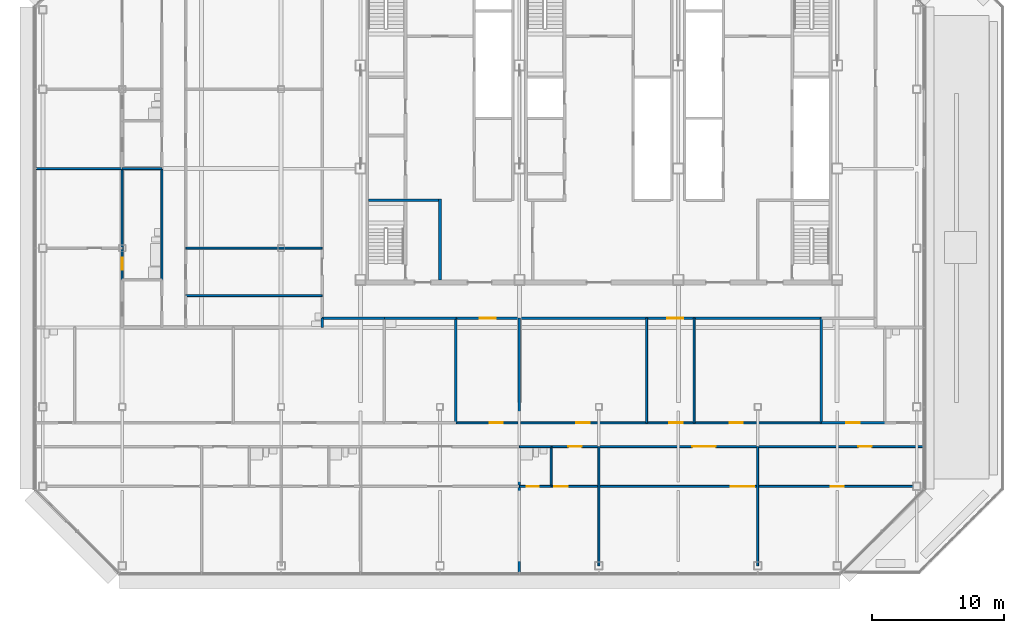
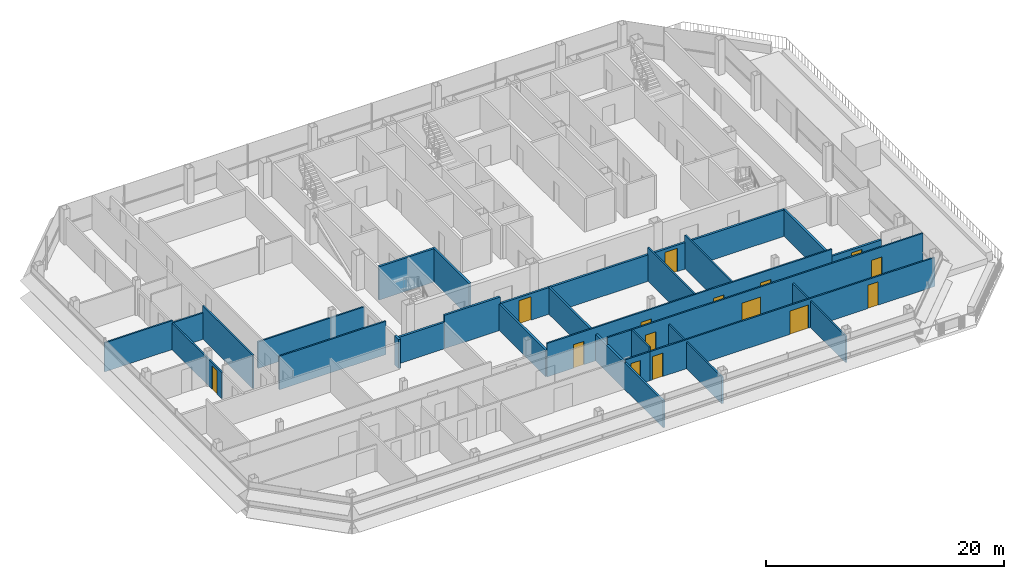
# One storey, part 19 of 28: 26 walls, 15 doors, 15 openings.
"""IFC4 building model written with IfcOpenShell, lengths in metres."""

from ifc_helpers import new_model, si_unit, direction, frame, frame_2d, origin, place, context, subcontext, project, spatial, rectangle, extrude, material, layer, layer_set, type_object, element, fill, save


model = new_model("IFC4")

# Units and contexts
model_context = context("Model", 3, precision=1e-05, world=origin(), true_north=direction((0.0, 1.0)))
body_context = subcontext(model_context, "Body", "Model", "MODEL_VIEW")
ifc_project = project(units=[si_unit("LENGTHUNIT", "METRE"), si_unit("AREAUNIT", "SQUARE_METRE"), si_unit("VOLUMEUNIT", "CUBIC_METRE"), si_unit("PLANEANGLEUNIT", "RADIAN"), si_unit("MASSUNIT", "GRAM", prefix="KILO")], contexts=[model_context])

# Site, building, storey
site_placement = place(None, origin())
site = spatial("IfcSite", under=ifc_project, at=site_placement, CompositionType="ELEMENT")
building_placement = place(site_placement, origin())
building = spatial("IfcBuilding", under=site, at=building_placement, Name="Sorahane Residences", CompositionType="ELEMENT")
storey_placement = place(building_placement, frame((0.0, 0.0, 290.800048828125)))
storey = spatial("IfcBuildingStorey", under=building, at=storey_placement, Name="L68", CompositionType="ELEMENT", Elevation=290.800048828125)

# Wall
ifc_material_1 = material(Name="Concrete blockwork C20 wall", Category="masonry")
ifc_layer_1 = layer(ifc_material_1, 0.199951171875)
ifc_layer_set_1 = layer_set([ifc_layer_1], Name="Corridor wall 200 EI 120")
wall_type_1 = type_object("IfcWallType", Name="Corridor wall 200 EI 120", PredefinedType="SOLIDWALL", material=ifc_layer_set_1)
wall_1_placement = place(storey_placement, frame((3.10009765625, 18.699951171875, 0.0), z_axis=(0.0, 0.0, 1.0), x_axis=(1.0, 0.0, 0.0)))
element("IfcWall", 1, at=wall_1_placement, inside=storey, type_object=wall_type_1, Name="L68 corridor wall", PredefinedType="SOLIDWALL", context=body_context, shape_type="SweptSolid", body=[
    extrude(rectangle(XDim=4.699951171875, YDim=0.199951171875, at=frame_2d((2.35009765625, 0.0))), origin(), (0.0, 0.0, 1.0), 2.719970703125),
])

# Wall, openings, doors
wall_2_placement = place(storey_placement, frame((13.199951171875, 18.699951171875, 0.0), z_axis=(0.0, 0.0, 1.0), x_axis=(1.0, 0.0, 0.0)))
wall_2 = element("IfcWall", 2, at=wall_2_placement, inside=storey, type_object=wall_type_1, Name="L68 corridor wall", PredefinedType="SOLIDWALL", context=body_context, shape_type="SweptSolid", body=[
    extrude(rectangle(XDim=27.60009765625, YDim=0.199951171875, at=frame_2d((13.800048828125, 0.0))), origin(), (0.0, 0.0, 1.0), 2.719970703125),
])
opening_1_placement = place(wall_2_placement, frame((1.800048828125, 0.0, 0.0)))
opening_1 = element("IfcOpeningElement", 3, at=opening_1_placement, cuts=wall_2, Name="Opening L68-42", PredefinedType="OPENING", context=body_context, shape_type="SweptSolid", body=[
    extrude(rectangle(XDim=1.199951171875, YDim=2.39990234375, at=frame_2d((0.60009765625, 1.199951171875))), frame((0.0, 0.10986328125, 0.0), z_axis=(0.0, -1.0, 0.0), x_axis=(1.0, 0.0, 0.0)), (0.0, 0.0, 1.0), 0.219970703125),
])
opening_2_placement = place(wall_2_placement, frame((15.97998046875, 0.0, 0.0)))
opening_2 = element("IfcOpeningElement", 4, at=opening_2_placement, cuts=wall_2, Name="Opening L68-43", PredefinedType="OPENING", context=body_context, shape_type="SweptSolid", body=[
    extrude(rectangle(XDim=1.199951171875, YDim=2.39990234375, at=frame_2d((0.60009765625, 1.199951171875))), frame((0.0, 0.10986328125, 0.0), z_axis=(0.0, -1.0, 0.0), x_axis=(1.0, 0.0, 0.0)), (0.0, 0.0, 1.0), 0.219970703125),
])
ifc_material_2 = material(Name="Timber veneered fire door", Category="wood")
door_type_1 = type_object("IfcDoorType", Name="Flat entrance door 1200x2400 FD60", OperationType="NOTDEFINED", PredefinedType="DOOR", material=ifc_material_2)
door_1_placement = place(opening_1_placement, frame((1.199951171875, 0.0, 0.0), z_axis=(0.0, 0.0, 1.0), x_axis=(-1.0, 0.0, 0.0)))
door_1 = element("IfcDoor", 5, at=door_1_placement, inside=storey, type_object=door_type_1, Name="Flat entrance door L68-42", OperationType="SINGLE_SWING_LEFT", OverallHeight=2.39990234375, OverallWidth=1.199951171875, PredefinedType="DOOR", context=body_context, shape_type="SweptSolid", body=[
    extrude(rectangle(XDim=1.199951171875, YDim=2.39990234375, at=frame_2d((0.60009765625, 1.199951171875))), frame((0.0, 0.02490234375, 0.0), z_axis=(0.0, -1.0, 0.0), x_axis=(1.0, 0.0, 0.0)), (0.0, 0.0, 1.0), 0.050048828125),
])
fill(opening_1, door_1)
door_2_placement = place(opening_2_placement, frame((1.199951171875, 0.0, 0.0), z_axis=(0.0, 0.0, 1.0), x_axis=(-1.0, 0.0, 0.0)))
door_2 = element("IfcDoor", 6, at=door_2_placement, inside=storey, type_object=door_type_1, Name="Flat entrance door L68-43", OperationType="SINGLE_SWING_LEFT", OverallHeight=2.39990234375, OverallWidth=1.199951171875, PredefinedType="DOOR", context=body_context, shape_type="SweptSolid", body=[
    extrude(rectangle(XDim=1.199951171875, YDim=2.39990234375, at=frame_2d((0.60009765625, 1.199951171875))), frame((0.0, 0.02490234375, 0.0), z_axis=(0.0, -1.0, 0.0), x_axis=(1.0, 0.0, 0.0)), (0.0, 0.0, 1.0), 0.050048828125),
])
fill(opening_2, door_2)

# Walls
ifc_material_3 = material(Name="Concrete C30", Category="concrete")
ifc_layer_2 = layer(ifc_material_3, 0.199951171875)
ifc_layer_set_2 = layer_set([ifc_layer_2], Name="Front room wall 200 EI 120")
wall_type_2 = type_object("IfcWallType", Name="Front room wall 200 EI 120", PredefinedType="PARTITIONING", material=ifc_layer_set_2)
wall_3_placement = place(storey_placement, frame((12.0, 21.60009765625, 0.0), z_axis=(0.0, 0.0, 1.0), x_axis=(0.0, 1.0, 0.0)))
element("IfcWall", 7, at=wall_3_placement, inside=storey, type_object=wall_type_2, Name="L68 front room wall", PredefinedType="PARTITIONING", context=body_context, shape_type="SweptSolid", body=[
    extrude(rectangle(XDim=6.099853515625, YDim=0.199951171875, at=frame_2d((3.0498046875, 0.0))), origin(), (0.0, 0.0, 1.0), 3.419921875),
])
ifc_material_4 = material(Name="Concrete blockwork C20 wall", Category="masonry")
ifc_layer_3 = layer(ifc_material_4, 0.199951171875)
ifc_layer_set_3 = layer_set([ifc_layer_3], Name="Kitchen wall 200 EI 180")
wall_type_3 = type_object("IfcWallType", Name="Kitchen wall 200 EI 180", PredefinedType="SOLIDWALL", material=ifc_layer_set_3)
for number, where, z_axis, x_axis, name in (
    (8, (13.199951171875, 10.800048828125, 0.0), (0.0, 0.0, 1.0), (0.0, 1.0, 0.0), "L68 kitchen wall"),
    (9, (40.800048828125, 10.800048828125, 0.0), (0.0, 0.0, 1.0), (0.0, 1.0, 0.0), "L68 kitchen wall"),
):
    element("IfcWall", number, at=place(storey_placement, frame(where, z_axis=z_axis, x_axis=x_axis)), inside=storey, type_object=wall_type_3, Name=name, PredefinedType="SOLIDWALL", context=body_context, shape_type="SweptSolid", body=[
        extrude(rectangle(XDim=7.89990234375, YDim=0.199951171875, at=frame_2d((3.949951171875, 0.0))), origin(), (0.0, 0.0, 1.0), 2.719970703125),
    ])

# Wall, opening, door
wall_4_placement = place(storey_placement, frame((40.800048828125, 10.800048828125, 0.0), z_axis=(0.0, 0.0, 1.0), x_axis=(1.0, 0.0, 0.0)))
wall_4 = element("IfcWall", 10, at=wall_4_placement, inside=storey, type_object=wall_type_3, Name="L68 kitchen wall", PredefinedType="SOLIDWALL", context=body_context, shape_type="SweptSolid", body=[
    extrude(rectangle(XDim=4.800048828125, YDim=0.199951171875, at=frame_2d((2.39990234375, 0.0))), origin(), (0.0, 0.0, 1.0), 2.719970703125),
])
opening_3_placement = place(wall_4_placement, frame((1.89990234375, 0.0, 0.0)))
opening_3 = element("IfcOpeningElement", 11, at=opening_3_placement, cuts=wall_4, Name="Opening L68-19", PredefinedType="OPENING", context=body_context, shape_type="SweptSolid", body=[
    extrude(rectangle(XDim=1.0, YDim=2.39990234375, at=frame_2d((0.5, 1.199951171875))), frame((0.0, 0.10986328125, 0.0), z_axis=(0.0, -1.0, 0.0), x_axis=(1.0, 0.0, 0.0)), (0.0, 0.0, 1.0), 0.219970703125),
])
ifc_material_5 = material(Name="Steel", Category="steel")
door_type_2 = type_object("IfcDoorType", Name="Kitchen door 1000x2400 FD120", OperationType="NOTDEFINED", PredefinedType="DOOR", material=ifc_material_5)
door_3_placement = place(opening_3_placement, origin())
door_3 = element("IfcDoor", 12, at=door_3_placement, inside=storey, type_object=door_type_2, Name="Kitchen door L68-19", OperationType="SINGLE_SWING_LEFT", OverallHeight=2.39990234375, OverallWidth=1.0, PredefinedType="DOOR", context=body_context, shape_type="SweptSolid", body=[
    extrude(rectangle(XDim=1.0, YDim=2.39990234375, at=frame_2d((0.5, 1.199951171875))), frame((0.0, 0.02490234375, 0.0), z_axis=(0.0, -1.0, 0.0), x_axis=(1.0, 0.0, 0.0)), (0.0, 0.0, 1.0), 0.050048828125),
])
fill(opening_3, door_3)

# Walls
wall_5_placement = place(storey_placement, frame((7.800048828125, 18.699951171875, 0.0), z_axis=(0.0, 0.0, 1.0), x_axis=(1.0, 0.0, 0.0)))
element("IfcWall", 13, at=wall_5_placement, inside=storey, type_object=wall_type_3, Name="L68 kitchen wall", PredefinedType="SOLIDWALL", context=body_context, shape_type="SweptSolid", body=[
    extrude(rectangle(XDim=5.39990234375, YDim=0.199951171875, at=frame_2d((2.699951171875, 0.0))), origin(), (0.0, 0.0, 1.0), 3.419921875),
])
ifc_material_6 = material(Name="Gypsum board partition on steel studs", Category="steel")
ifc_layer_4 = layer(ifc_material_6, 0.14990234375)
ifc_layer_set_4 = layer_set([ifc_layer_4], Name="Partition 150 EI 90")
wall_type_4 = type_object("IfcWallType", Name="Partition 150 EI 90", PredefinedType="PARTITIONING", material=ifc_layer_set_4)
wall_6_placement = place(storey_placement, frame((24.0, 0.0, 0.0), z_axis=(0.0, 0.0, 1.0), x_axis=(0.0, 1.0, 0.0)))
element("IfcWall", 14, at=wall_6_placement, inside=storey, type_object=wall_type_4, Name="L68 partition", PredefinedType="PARTITIONING", context=body_context, shape_type="SweptSolid", body=[
    extrude(rectangle(XDim=9.0, YDim=0.14990234375, at=frame_2d((4.5, 0.0))), origin(), (0.0, 0.0, 1.0), 2.719970703125),
])
for number, where, z_axis, x_axis, name in (
    (15, (27.60009765625, 10.800048828125, 0.0), (0.0, 0.0, 1.0), (0.0, 1.0, 0.0), "L68 partition"),
    (16, (31.199951171875, 10.800048828125, 0.0), (0.0, 0.0, 1.0), (0.0, 1.0, 0.0), "L68 partition"),
):
    element("IfcWall", number, at=place(storey_placement, frame(where, z_axis=z_axis, x_axis=x_axis)), inside=storey, type_object=wall_type_4, Name=name, PredefinedType="PARTITIONING", context=body_context, shape_type="SweptSolid", body=[
        extrude(rectangle(XDim=7.89990234375, YDim=0.14990234375, at=frame_2d((3.949951171875, 0.0))), origin(), (0.0, 0.0, 1.0), 3.419921875),
    ])
wall_7_placement = place(storey_placement, frame((36.0, 0.0, 0.0), z_axis=(0.0, 0.0, 1.0), x_axis=(0.0, 1.0, 0.0)))
element("IfcWall", 17, at=wall_7_placement, inside=storey, type_object=wall_type_4, Name="L68 partition", PredefinedType="PARTITIONING", context=body_context, shape_type="SweptSolid", body=[
    extrude(rectangle(XDim=9.0, YDim=0.14990234375, at=frame_2d((4.5, 0.0))), origin(), (0.0, 0.0, 1.0), 2.719970703125),
])

# Wall, openings, doors
wall_8_placement = place(storey_placement, frame((13.199951171875, 10.800048828125, 0.0), z_axis=(0.0, 0.0, 1.0), x_axis=(1.0, 0.0, 0.0)))
wall_8 = element("IfcWall", 18, at=wall_8_placement, inside=storey, type_object=wall_type_4, Name="L68 partition", PredefinedType="PARTITIONING", context=body_context, shape_type="SweptSolid", body=[
    extrude(rectangle(XDim=27.60009765625, YDim=0.14990234375, at=frame_2d((13.800048828125, 0.0))), origin(), (0.0, 0.0, 1.0), 3.419921875),
])
opening_4_placement = place(wall_8_placement, frame((2.56005859375, 0.0, 0.0)))
opening_4 = element("IfcOpeningElement", 19, at=opening_4_placement, cuts=wall_8, Name="Opening L68-01", PredefinedType="OPENING", context=body_context, shape_type="SweptSolid", body=[
    extrude(rectangle(XDim=1.0, YDim=2.39990234375, at=frame_2d((0.5, 1.199951171875))), frame((0.0, 0.0849609375, 0.0), z_axis=(0.0, -1.0, 0.0), x_axis=(1.0, 0.0, 0.0)), (0.0, 0.0, 1.0), 0.169921875),
])
opening_5_placement = place(wall_8_placement, frame((16.1201171875, 0.0, 0.0)))
opening_5 = element("IfcOpeningElement", 20, at=opening_5_placement, cuts=wall_8, Name="Opening L68-16", PredefinedType="OPENING", context=body_context, shape_type="SweptSolid", body=[
    extrude(rectangle(XDim=1.0, YDim=2.39990234375, at=frame_2d((0.5, 1.199951171875))), frame((0.0, 0.0849609375, 0.0), z_axis=(0.0, -1.0, 0.0), x_axis=(1.0, 0.0, 0.0)), (0.0, 0.0, 1.0), 0.169921875),
])
opening_6_placement = place(wall_8_placement, frame((9.10009765625, 0.0, 0.0)))
opening_6 = element("IfcOpeningElement", 21, at=opening_6_placement, cuts=wall_8, Name="Opening L68-17", PredefinedType="OPENING", context=body_context, shape_type="SweptSolid", body=[
    extrude(rectangle(XDim=1.0, YDim=2.39990234375, at=frame_2d((0.5, 1.199951171875))), frame((0.0, 0.0849609375, 0.0), z_axis=(0.0, -1.0, 0.0), x_axis=(1.0, 0.0, 0.0)), (0.0, 0.0, 1.0), 0.169921875),
])
opening_7_placement = place(wall_8_placement, frame((20.679931640625, 0.0, 0.0)))
opening_7 = element("IfcOpeningElement", 22, at=opening_7_placement, cuts=wall_8, Name="Opening L68-18", PredefinedType="OPENING", context=body_context, shape_type="SweptSolid", body=[
    extrude(rectangle(XDim=1.0, YDim=2.39990234375, at=frame_2d((0.5, 1.199951171875))), frame((0.0, 0.0849609375, 0.0), z_axis=(0.0, -1.0, 0.0), x_axis=(1.0, 0.0, 0.0)), (0.0, 0.0, 1.0), 0.169921875),
])
ifc_material_7 = material(Name="Timber veneered fire door", Category="wood")
door_type_3 = type_object("IfcDoorType", Name="Room door 1000x2400 FD30", OperationType="NOTDEFINED", PredefinedType="DOOR", material=ifc_material_7)
door_4_placement = place(opening_4_placement, frame((1.0, 0.0, 0.0), z_axis=(0.0, 0.0, 1.0), x_axis=(-1.0, 0.0, 0.0)))
door_4 = element("IfcDoor", 23, at=door_4_placement, inside=storey, type_object=door_type_3, Name="Room door L68-01", OperationType="SINGLE_SWING_LEFT", OverallHeight=2.39990234375, OverallWidth=1.0, PredefinedType="DOOR", context=body_context, shape_type="SweptSolid", body=[
    extrude(rectangle(XDim=1.0, YDim=2.39990234375, at=frame_2d((0.5, 1.199951171875))), frame((0.0, 0.02490234375, 0.0), z_axis=(0.0, -1.0, 0.0), x_axis=(1.0, 0.0, 0.0)), (0.0, 0.0, 1.0), 0.050048828125),
])
fill(opening_4, door_4)
door_5_placement = place(opening_5_placement, frame((1.0, 0.0, 0.0), z_axis=(0.0, 0.0, 1.0), x_axis=(-1.0, 0.0, 0.0)))
door_5 = element("IfcDoor", 24, at=door_5_placement, inside=storey, type_object=door_type_3, Name="Room door L68-16", OperationType="SINGLE_SWING_LEFT", OverallHeight=2.39990234375, OverallWidth=1.0, PredefinedType="DOOR", context=body_context, shape_type="SweptSolid", body=[
    extrude(rectangle(XDim=1.0, YDim=2.39990234375, at=frame_2d((0.5, 1.199951171875))), frame((0.0, 0.02490234375, 0.0), z_axis=(0.0, -1.0, 0.0), x_axis=(1.0, 0.0, 0.0)), (0.0, 0.0, 1.0), 0.050048828125),
])
fill(opening_5, door_5)
door_6_placement = place(opening_6_placement, origin())
door_6 = element("IfcDoor", 25, at=door_6_placement, inside=storey, type_object=door_type_3, Name="Room door L68-17", OperationType="SINGLE_SWING_RIGHT", OverallHeight=2.39990234375, OverallWidth=1.0, PredefinedType="DOOR", context=body_context, shape_type="SweptSolid", body=[
    extrude(rectangle(XDim=1.0, YDim=2.39990234375, at=frame_2d((0.5, 1.199951171875))), frame((0.0, 0.02490234375, 0.0), z_axis=(0.0, -1.0, 0.0), x_axis=(1.0, 0.0, 0.0)), (0.0, 0.0, 1.0), 0.050048828125),
])
fill(opening_6, door_6)
door_7_placement = place(opening_7_placement, origin())
door_7 = element("IfcDoor", 26, at=door_7_placement, inside=storey, type_object=door_type_3, Name="Room door L68-18", OperationType="SINGLE_SWING_LEFT", OverallHeight=2.39990234375, OverallWidth=1.0, PredefinedType="DOOR", context=body_context, shape_type="SweptSolid", body=[
    extrude(rectangle(XDim=1.0, YDim=2.39990234375, at=frame_2d((0.5, 1.199951171875))), frame((0.0, 0.02490234375, 0.0), z_axis=(0.0, -1.0, 0.0), x_axis=(1.0, 0.0, 0.0)), (0.0, 0.0, 1.0), 0.050048828125),
])
fill(opening_7, door_7)

# Walls
wall_9_placement = place(storey_placement, frame((-7.199951171875, 24.0, 0.0), z_axis=(0.0, 0.0, 1.0), x_axis=(1.0, 0.0, 0.0)))
element("IfcWall", 27, at=wall_9_placement, inside=storey, type_object=wall_type_4, Name="L68 partition", PredefinedType="PARTITIONING", context=body_context, shape_type="SweptSolid", body=[
    extrude(rectangle(XDim=10.300048828125, YDim=0.14990234375, at=frame_2d((5.14990234375, 0.0))), origin(), (0.0, 0.0, 1.0), 2.719970703125),
])
wall_10_placement = place(storey_placement, frame((-18.60009765625, 30.0, 0.0), z_axis=(0.0, 0.0, 1.0), x_axis=(1.0, 0.0, 0.0)))
element("IfcWall", 28, at=wall_10_placement, inside=storey, type_object=wall_type_4, Name="L68 partition", PredefinedType="PARTITIONING", context=body_context, shape_type="SweptSolid", body=[
    extrude(rectangle(XDim=6.60009765625, YDim=0.14990234375, at=frame_2d((3.300048828125, 0.0))), origin(), (0.0, 0.0, 1.0), 2.969970703125),
])

# Wall, openings, doors
wall_11_placement = place(storey_placement, frame((20.39990234375, 6.0, 0.0), z_axis=(0.0, 0.0, 1.0), x_axis=(1.0, 0.0, 0.0)))
wall_11 = element("IfcWall", 29, at=wall_11_placement, inside=storey, type_object=wall_type_4, Name="L68 partition", PredefinedType="PARTITIONING", context=body_context, shape_type="SweptSolid", body=[
    extrude(rectangle(XDim=27.60009765625, YDim=0.14990234375, at=frame_2d((13.800048828125, 0.0))), origin(), (0.0, 0.0, 1.0), 2.969970703125),
])
opening_8_placement = place(wall_11_placement, frame((0.25, 0.0, 0.0)))
opening_8 = element("IfcOpeningElement", 30, at=opening_8_placement, cuts=wall_11, Name="Opening L68-24", PredefinedType="OPENING", context=body_context, shape_type="SweptSolid", body=[
    extrude(rectangle(XDim=1.0, YDim=2.39990234375, at=frame_2d((0.5, 1.199951171875))), frame((0.0, 0.0849609375, 0.0), z_axis=(0.0, -1.0, 0.0), x_axis=(1.0, 0.0, 0.0)), (0.0, 0.0, 1.0), 0.169921875),
])
opening_9_placement = place(wall_11_placement, frame((13.550048828125, 0.0, 0.0)))
opening_9 = element("IfcOpeningElement", 31, at=opening_9_placement, cuts=wall_11, Name="Opening L68-26", PredefinedType="OPENING", context=body_context, shape_type="SweptSolid", body=[
    extrude(rectangle(XDim=1.800048828125, YDim=2.39990234375, at=frame_2d((0.89990234375, 1.199951171875))), frame((0.0, 0.0849609375, 0.0), z_axis=(0.0, -1.0, 0.0), x_axis=(1.0, 0.0, 0.0)), (0.0, 0.0, 1.0), 0.169921875),
])
opening_10_placement = place(wall_11_placement, frame((21.10009765625, 0.0, 0.0)))
opening_10 = element("IfcOpeningElement", 32, at=opening_10_placement, cuts=wall_11, Name="Opening L68-27", PredefinedType="OPENING", context=body_context, shape_type="SweptSolid", body=[
    extrude(rectangle(XDim=1.0, YDim=2.39990234375, at=frame_2d((0.5, 1.199951171875))), frame((0.0, 0.0849609375, 0.0), z_axis=(0.0, -1.0, 0.0), x_axis=(1.0, 0.0, 0.0)), (0.0, 0.0, 1.0), 0.169921875),
])
ifc_material_8 = material(Name="Timber veneered fire door", Category="wood")
door_type_4 = type_object("IfcDoorType", Name="Double door 1800x2400 FD30", OperationType="NOTDEFINED", PredefinedType="DOOR", material=ifc_material_8)
door_8_placement = place(opening_9_placement, frame((1.800048828125, 0.0, 0.0), z_axis=(0.0, 0.0, 1.0), x_axis=(-1.0, 0.0, 0.0)))
door_8 = element("IfcDoor", 33, at=door_8_placement, inside=storey, type_object=door_type_4, Name="Double door L68-26", OperationType="SINGLE_SWING_RIGHT", OverallHeight=2.39990234375, OverallWidth=1.800048828125, PredefinedType="DOOR", context=body_context, shape_type="SweptSolid", body=[
    extrude(rectangle(XDim=1.800048828125, YDim=2.39990234375, at=frame_2d((0.89990234375, 1.199951171875))), frame((0.0, 0.02490234375, 0.0), z_axis=(0.0, -1.0, 0.0), x_axis=(1.0, 0.0, 0.0)), (0.0, 0.0, 1.0), 0.050048828125),
])
fill(opening_9, door_8)
door_9_placement = place(opening_8_placement, frame((1.0, 0.0, 0.0), z_axis=(0.0, 0.0, 1.0), x_axis=(-1.0, 0.0, 0.0)))
door_9 = element("IfcDoor", 34, at=door_9_placement, inside=storey, type_object=door_type_3, Name="Room door L68-24", OperationType="SINGLE_SWING_RIGHT", OverallHeight=2.39990234375, OverallWidth=1.0, PredefinedType="DOOR", context=body_context, shape_type="SweptSolid", body=[
    extrude(rectangle(XDim=1.0, YDim=2.39990234375, at=frame_2d((0.5, 1.199951171875))), frame((0.0, 0.02490234375, 0.0), z_axis=(0.0, -1.0, 0.0), x_axis=(1.0, 0.0, 0.0)), (0.0, 0.0, 1.0), 0.050048828125),
])
fill(opening_8, door_9)
door_10_placement = place(opening_10_placement, frame((1.0, 0.0, 0.0), z_axis=(0.0, 0.0, 1.0), x_axis=(-1.0, 0.0, 0.0)))
door_10 = element("IfcDoor", 35, at=door_10_placement, inside=storey, type_object=door_type_3, Name="Room door L68-27", OperationType="SINGLE_SWING_RIGHT", OverallHeight=2.39990234375, OverallWidth=1.0, PredefinedType="DOOR", context=body_context, shape_type="SweptSolid", body=[
    extrude(rectangle(XDim=1.0, YDim=2.39990234375, at=frame_2d((0.5, 1.199951171875))), frame((0.0, 0.02490234375, 0.0), z_axis=(0.0, -1.0, 0.0), x_axis=(1.0, 0.0, 0.0)), (0.0, 0.0, 1.0), 0.050048828125),
])
fill(opening_10, door_10)

wall_12_placement = place(storey_placement, frame((20.39990234375, 9.0, 0.0), z_axis=(0.0, 0.0, 1.0), x_axis=(1.0, 0.0, 0.0)))
wall_12 = element("IfcWall", 36, at=wall_12_placement, inside=storey, type_object=wall_type_4, Name="L68 partition", PredefinedType="PARTITIONING", context=body_context, shape_type="SweptSolid", body=[
    extrude(rectangle(XDim=28.2001953125, YDim=0.14990234375, at=frame_2d((14.10009765625, 0.0))), origin(), (0.0, 0.0, 1.0), 3.419921875),
])
opening_11_placement = place(wall_12_placement, frame((1.300048828125, 0.0, 0.0)))
opening_11 = element("IfcOpeningElement", 37, at=opening_11_placement, cuts=wall_12, Name="Opening L68-21", PredefinedType="OPENING", context=body_context, shape_type="SweptSolid", body=[
    extrude(rectangle(XDim=1.0, YDim=2.39990234375, at=frame_2d((0.5, 1.199951171875))), frame((0.0, 0.0849609375, 0.0), z_axis=(0.0, -1.0, 0.0), x_axis=(1.0, 0.0, 0.0)), (0.0, 0.0, 1.0), 0.169921875),
])
opening_12_placement = place(wall_12_placement, frame((10.639892578125, 0.0, 0.0)))
opening_12 = element("IfcOpeningElement", 38, at=opening_12_placement, cuts=wall_12, Name="Opening L68-22", PredefinedType="OPENING", context=body_context, shape_type="SweptSolid", body=[
    extrude(rectangle(XDim=1.800048828125, YDim=2.39990234375, at=frame_2d((0.89990234375, 1.199951171875))), frame((0.0, 0.0849609375, 0.0), z_axis=(0.0, -1.0, 0.0), x_axis=(1.0, 0.0, 0.0)), (0.0, 0.0, 1.0), 0.169921875),
])
opening_13_placement = place(wall_12_placement, frame((23.199951171875, 0.0, 0.0)))
opening_13 = element("IfcOpeningElement", 39, at=opening_13_placement, cuts=wall_12, Name="Opening L68-23", PredefinedType="OPENING", context=body_context, shape_type="SweptSolid", body=[
    extrude(rectangle(XDim=1.0, YDim=2.39990234375, at=frame_2d((0.5, 1.199951171875))), frame((0.0, 0.0849609375, 0.0), z_axis=(0.0, -1.0, 0.0), x_axis=(1.0, 0.0, 0.0)), (0.0, 0.0, 1.0), 0.169921875),
])
door_11_placement = place(opening_12_placement, frame((1.800048828125, 0.0, 0.0), z_axis=(0.0, 0.0, 1.0), x_axis=(-1.0, 0.0, 0.0)))
door_11 = element("IfcDoor", 40, at=door_11_placement, inside=storey, type_object=door_type_4, Name="Double door L68-22", OperationType="SINGLE_SWING_RIGHT", OverallHeight=2.39990234375, OverallWidth=1.800048828125, PredefinedType="DOOR", context=body_context, shape_type="SweptSolid", body=[
    extrude(rectangle(XDim=1.800048828125, YDim=2.39990234375, at=frame_2d((0.89990234375, 1.199951171875))), frame((0.0, 0.02490234375, 0.0), z_axis=(0.0, -1.0, 0.0), x_axis=(1.0, 0.0, 0.0)), (0.0, 0.0, 1.0), 0.050048828125),
])
fill(opening_12, door_11)
door_12_placement = place(opening_11_placement, frame((1.0, 0.0, 0.0), z_axis=(0.0, 0.0, 1.0), x_axis=(-1.0, 0.0, 0.0)))
door_12 = element("IfcDoor", 41, at=door_12_placement, inside=storey, type_object=door_type_3, Name="Room door L68-21", OperationType="SINGLE_SWING_LEFT", OverallHeight=2.39990234375, OverallWidth=1.0, PredefinedType="DOOR", context=body_context, shape_type="SweptSolid", body=[
    extrude(rectangle(XDim=1.0, YDim=2.39990234375, at=frame_2d((0.5, 1.199951171875))), frame((0.0, 0.02490234375, 0.0), z_axis=(0.0, -1.0, 0.0), x_axis=(1.0, 0.0, 0.0)), (0.0, 0.0, 1.0), 0.050048828125),
])
fill(opening_11, door_12)
door_13_placement = place(opening_13_placement, frame((1.0, 0.0, 0.0), z_axis=(0.0, 0.0, 1.0), x_axis=(-1.0, 0.0, 0.0)))
door_13 = element("IfcDoor", 42, at=door_13_placement, inside=storey, type_object=door_type_3, Name="Room door L68-23", OperationType="SINGLE_SWING_RIGHT", OverallHeight=2.39990234375, OverallWidth=1.0, PredefinedType="DOOR", context=body_context, shape_type="SweptSolid", body=[
    extrude(rectangle(XDim=1.0, YDim=2.39990234375, at=frame_2d((0.5, 1.199951171875))), frame((0.0, 0.02490234375, 0.0), z_axis=(0.0, -1.0, 0.0), x_axis=(1.0, 0.0, 0.0)), (0.0, 0.0, 1.0), 0.050048828125),
])
fill(opening_13, door_13)

# Walls
ifc_material_9 = material(Name="Concrete blockwork C20 wall", Category="masonry")
ifc_layer_5 = layer(ifc_material_9, 0.199951171875)
ifc_layer_set_5 = layer_set([ifc_layer_5], Name="Party wall 200 EI 120")
wall_type_5 = type_object("IfcWallType", Name="Party wall 200 EI 120", PredefinedType="SOLIDWALL", material=ifc_layer_set_5)
wall_13_placement = place(storey_placement, frame((18.0, -0.60009765625, 0.0), z_axis=(0.0, 0.0, 1.0), x_axis=(0.0, 1.0, 0.0)))
element("IfcWall", 43, at=wall_13_placement, inside=storey, type_object=wall_type_5, Name="L68 party wall", PredefinedType="SOLIDWALL", context=body_context, shape_type="SweptSolid", body=[
    extrude(rectangle(XDim=19.300048828125, YDim=0.199951171875, at=frame_2d((9.64990234375, 0.0))), origin(), (0.0, 0.0, 1.0), 2.719970703125),
])
wall_14_placement = place(storey_placement, frame((3.10009765625, 18.0, 0.0), z_axis=(0.0, 0.0, 1.0), x_axis=(0.0, 1.0, 0.0)))
element("IfcWall", 44, at=wall_14_placement, inside=storey, type_object=wall_type_5, Name="L68 party wall", PredefinedType="SOLIDWALL", context=body_context, shape_type="SweptSolid", body=[
    extrude(rectangle(XDim=0.699951171875, YDim=0.199951171875, at=frame_2d((0.35009765625, 0.0))), origin(), (0.0, 0.0, 1.0), 2.969970703125),
])
ifc_material_10 = material(Name="Concrete C30", Category="concrete")
ifc_layer_6 = layer(ifc_material_10, 0.199951171875)
ifc_layer_set_6 = layer_set([ifc_layer_6], Name="Stair enclosure wall 200 EI 120")
wall_type_6 = type_object("IfcWallType", Name="Stair enclosure wall 200 EI 120", PredefinedType="SOLIDWALL", material=ifc_layer_set_6)
wall_15_placement = place(storey_placement, frame((6.60009765625, 27.60009765625, 0.0), z_axis=(0.0, 0.0, 1.0), x_axis=(1.0, 0.0, 0.0)))
element("IfcWall", 45, at=wall_15_placement, inside=storey, type_object=wall_type_6, Name="L68 stair enclosure wall", PredefinedType="SOLIDWALL", context=body_context, shape_type="SweptSolid", body=[
    extrude(rectangle(XDim=5.2998046875, YDim=0.199951171875, at=frame_2d((2.64990234375, 0.0))), origin(), (0.0, 0.0, 1.0), 3.419921875),
])

# Wall, opening, door
ifc_material_11 = material(Name="Gypsum board partition on steel studs", Category="steel")
ifc_layer_7 = layer(ifc_material_11, 0.14990234375)
ifc_layer_set_7 = layer_set([ifc_layer_7], Name="Wet wall 150 EI 90")
wall_type_7 = type_object("IfcWallType", Name="Wet wall 150 EI 90", PredefinedType="PARTITIONING", material=ifc_layer_set_7)
wall_16_placement = place(storey_placement, frame((-12.0, 21.60009765625, 0.0), z_axis=(0.0, 0.0, 1.0), x_axis=(0.0, 1.0, 0.0)))
wall_16 = element("IfcWall", 46, at=wall_16_placement, inside=storey, type_object=wall_type_7, Name="L68 wet wall", PredefinedType="PARTITIONING", context=body_context, shape_type="SweptSolid", body=[
    extrude(rectangle(XDim=8.39990234375, YDim=0.14990234375, at=frame_2d((4.199951171875, 0.0))), origin(), (0.0, 0.0, 1.0), 2.719970703125),
])
opening_14_placement = place(wall_16_placement, frame((0.75, 0.0, 0.0)))
opening_14 = element("IfcOpeningElement", 47, at=opening_14_placement, cuts=wall_16, Name="Opening L68-38", PredefinedType="OPENING", context=body_context, shape_type="SweptSolid", body=[
    extrude(rectangle(XDim=0.89990234375, YDim=2.39990234375, at=frame_2d((0.449951171875, 1.199951171875))), frame((0.0, 0.0849609375, 0.0), z_axis=(0.0, -1.0, 0.0), x_axis=(1.0, 0.0, 0.0)), (0.0, 0.0, 1.0), 0.169921875),
])
ifc_material_12 = material(Name="Timber veneered fire door", Category="wood")
door_type_5 = type_object("IfcDoorType", Name="Bathroom door 900x2400 FD30", OperationType="NOTDEFINED", PredefinedType="DOOR", material=ifc_material_12)
door_14_placement = place(opening_14_placement, origin())
door_14 = element("IfcDoor", 48, at=door_14_placement, inside=storey, type_object=door_type_5, Name="Bathroom door L68-38", OperationType="SINGLE_SWING_RIGHT", OverallHeight=2.39990234375, OverallWidth=0.89990234375, PredefinedType="DOOR", context=body_context, shape_type="SweptSolid", body=[
    extrude(rectangle(XDim=0.89990234375, YDim=2.39990234375, at=frame_2d((0.449951171875, 1.199951171875))), frame((0.0, 0.02490234375, 0.0), z_axis=(0.0, -1.0, 0.0), x_axis=(1.0, 0.0, 0.0)), (0.0, 0.0, 1.0), 0.050048828125),
])
fill(opening_14, door_14)

# Walls
wall_17_placement = place(storey_placement, frame((-9.0, 21.60009765625, 0.0), z_axis=(0.0, 0.0, 1.0), x_axis=(0.0, 1.0, 0.0)))
element("IfcWall", 49, at=wall_17_placement, inside=storey, type_object=wall_type_7, Name="L68 wet wall", PredefinedType="PARTITIONING", context=body_context, shape_type="SweptSolid", body=[
    extrude(rectangle(XDim=8.39990234375, YDim=0.14990234375, at=frame_2d((4.199951171875, 0.0))), origin(), (0.0, 0.0, 1.0), 3.419921875),
])
wall_18_placement = place(storey_placement, frame((20.39990234375, 6.0, 0.0), z_axis=(0.0, 0.0, 1.0), x_axis=(0.0, 1.0, 0.0)))
element("IfcWall", 50, at=wall_18_placement, inside=storey, type_object=wall_type_7, Name="L68 wet wall", PredefinedType="PARTITIONING", context=body_context, shape_type="SweptSolid", body=[
    extrude(rectangle(XDim=3.0, YDim=0.14990234375, at=frame_2d((1.5, 0.0))), origin(), (0.0, 0.0, 1.0), 3.419921875),
])
wall_19_placement = place(storey_placement, frame((-7.199951171875, 20.39990234375, 0.0), z_axis=(0.0, 0.0, 1.0), x_axis=(1.0, 0.0, 0.0)))
element("IfcWall", 51, at=wall_19_placement, inside=storey, type_object=wall_type_7, Name="L68 wet wall", PredefinedType="PARTITIONING", context=body_context, shape_type="SweptSolid", body=[
    extrude(rectangle(XDim=10.300048828125, YDim=0.14990234375, at=frame_2d((5.14990234375, 0.0))), origin(), (0.0, 0.0, 1.0), 3.419921875),
])
wall_20_placement = place(storey_placement, frame((-12.0, 30.0, 0.0), z_axis=(0.0, 0.0, 1.0), x_axis=(1.0, 0.0, 0.0)))
element("IfcWall", 52, at=wall_20_placement, inside=storey, type_object=wall_type_7, Name="L68 wet wall", PredefinedType="PARTITIONING", context=body_context, shape_type="SweptSolid", body=[
    extrude(rectangle(XDim=3.0, YDim=0.14990234375, at=frame_2d((1.5, 0.0))), origin(), (0.0, 0.0, 1.0), 2.719970703125),
])

# Wall, opening, door
wall_21_placement = place(storey_placement, frame((18.0, 6.0, 0.0), z_axis=(0.0, 0.0, 1.0), x_axis=(1.0, 0.0, 0.0)))
wall_21 = element("IfcWall", 53, at=wall_21_placement, inside=storey, type_object=wall_type_7, Name="L68 wet wall", PredefinedType="PARTITIONING", context=body_context, shape_type="SweptSolid", body=[
    extrude(rectangle(XDim=2.39990234375, YDim=0.14990234375, at=frame_2d((1.199951171875, 0.0))), origin(), (0.0, 0.0, 1.0), 2.969970703125),
])
opening_15_placement = place(wall_21_placement, frame((0.550048828125, 0.0, 0.0)))
opening_15 = element("IfcOpeningElement", 54, at=opening_15_placement, cuts=wall_21, Name="Opening L68-25", PredefinedType="OPENING", context=body_context, shape_type="SweptSolid", body=[
    extrude(rectangle(XDim=0.89990234375, YDim=2.39990234375, at=frame_2d((0.449951171875, 1.199951171875))), frame((0.0, 0.0849609375, 0.0), z_axis=(0.0, -1.0, 0.0), x_axis=(1.0, 0.0, 0.0)), (0.0, 0.0, 1.0), 0.169921875),
])
door_15_placement = place(opening_15_placement, frame((0.89990234375, 0.0, 0.0), z_axis=(0.0, 0.0, 1.0), x_axis=(-1.0, 0.0, 0.0)))
door_15 = element("IfcDoor", 55, at=door_15_placement, inside=storey, type_object=door_type_5, Name="Bathroom door L68-25", OperationType="SINGLE_SWING_LEFT", OverallHeight=2.39990234375, OverallWidth=0.89990234375, PredefinedType="DOOR", context=body_context, shape_type="SweptSolid", body=[
    extrude(rectangle(XDim=0.89990234375, YDim=2.39990234375, at=frame_2d((0.449951171875, 1.199951171875))), frame((0.0, 0.02490234375, 0.0), z_axis=(0.0, -1.0, 0.0), x_axis=(1.0, 0.0, 0.0)), (0.0, 0.0, 1.0), 0.050048828125),
])
fill(opening_15, door_15)

# Wall
wall_22_placement = place(storey_placement, frame((18.0, 9.0, 0.0), z_axis=(0.0, 0.0, 1.0), x_axis=(1.0, 0.0, 0.0)))
element("IfcWall", 56, at=wall_22_placement, inside=storey, type_object=wall_type_7, Name="L68 wet wall", PredefinedType="PARTITIONING", context=body_context, shape_type="SweptSolid", body=[
    extrude(rectangle(XDim=2.39990234375, YDim=0.14990234375, at=frame_2d((1.199951171875, 0.0))), origin(), (0.0, 0.0, 1.0), 3.419921875),
])

save(model, "model.ifc")
